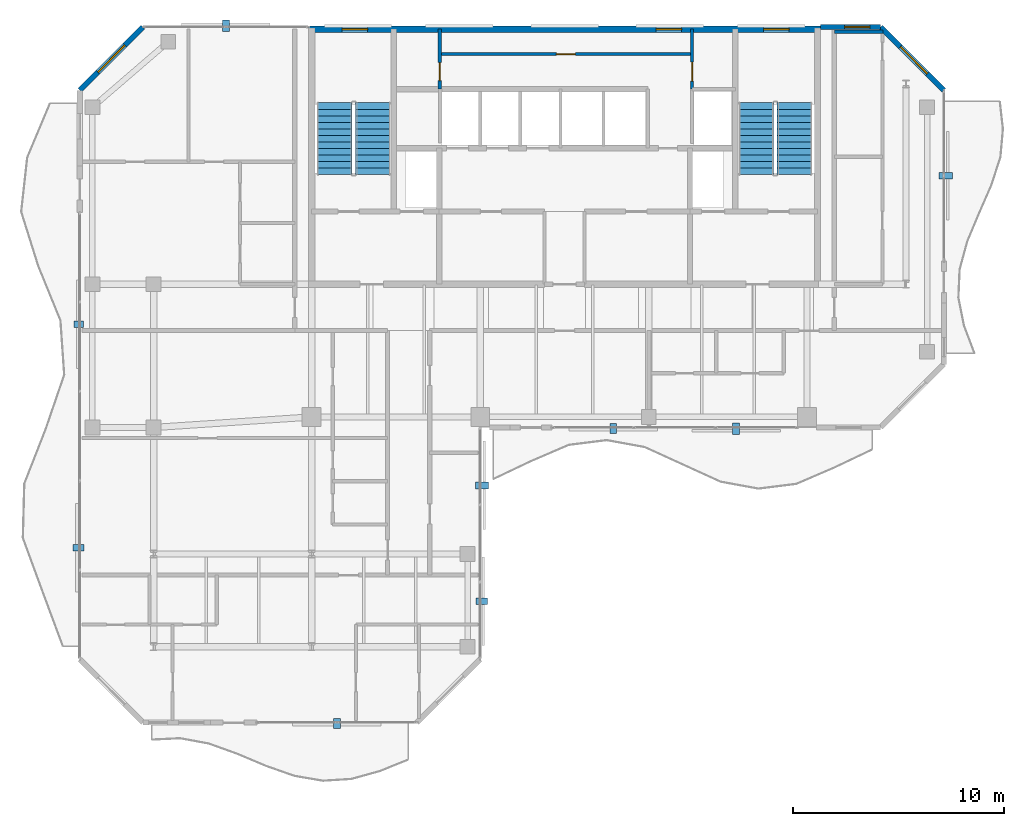
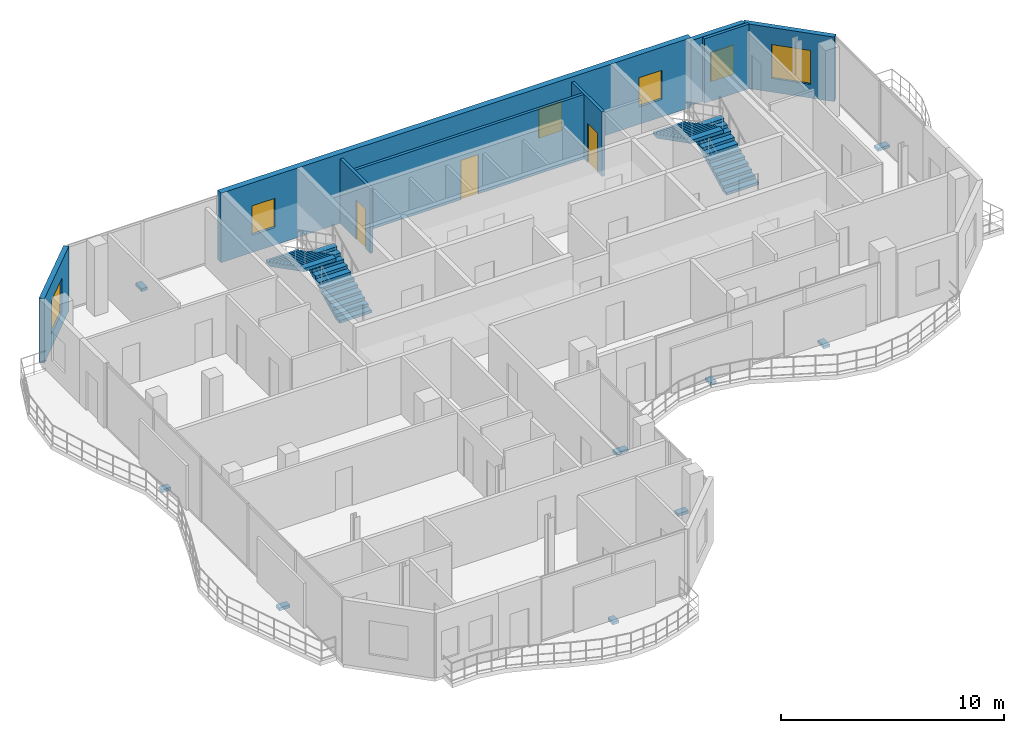
# One storey, part 20 of 23: 9 discrete accessories, 8 walls, 6 windows, 4 stair flights, 3 doors, 9 openings, 2 elements without a shape of their own.
"""IFC4 building model written with IfcOpenShell, lengths in metres."""

from ifc_helpers import new_model, si_unit, direction, frame, frame_2d, origin, origin_2d, place, context, subcontext, project, spatial, polyline, rectangle, outline, extrude, material, layer, layer_set, type_object, element, fill, aggregate, save


model = new_model("IFC4")

# Units and contexts
model_context = context("Model", 3, precision=1e-05, world=origin(), true_north=direction((0.0, 1.0)))
body_context = subcontext(model_context, "Body", "Model", "MODEL_VIEW")
ifc_project = project(units=[si_unit("LENGTHUNIT", "METRE"), si_unit("AREAUNIT", "SQUARE_METRE"), si_unit("VOLUMEUNIT", "CUBIC_METRE"), si_unit("PLANEANGLEUNIT", "RADIAN"), si_unit("MASSUNIT", "GRAM", prefix="KILO")], contexts=[model_context])

# Site, building, storey
site_placement = place(None, origin())
site = spatial("IfcSite", under=ifc_project, at=site_placement, CompositionType="ELEMENT")
building_placement = place(site_placement, origin())
building = spatial("IfcBuilding", under=site, at=building_placement, Name="Catumbela Crestline Tower", CompositionType="ELEMENT")
storey_placement = place(building_placement, frame((0.0, 0.0, 252.6)))
storey = spatial("IfcBuildingStorey", under=building, at=storey_placement, Name="L65", CompositionType="ELEMENT", Elevation=252.6)

# Wall, openings, windows
ifc_material_1 = material(Name="Concrete C45/55", Category="concrete")
ifc_layer_1 = layer(ifc_material_1, 0.3, Name="Concrete C45/55")
ifc_layer_set_1 = layer_set([ifc_layer_1], Name="Concrete C45/55")
wall_type_1 = type_object("IfcWallType", Name="CW-300E", PredefinedType="SHEAR", material=ifc_layer_set_1)
wall_1_placement = place(storey_placement, frame((15.85, 42.9, 0.0), z_axis=(0.0, 0.0, 1.0), x_axis=(1.0, 0.0, 0.0)))
wall_1 = element("IfcWall", 1, at=wall_1_placement, inside=storey, type_object=wall_type_1, Name="L65 Structural Core Shear Wall N", PredefinedType="SHEAR", context=body_context, shape_type="SweptSolid", body=[
    extrude(rectangle(XDim=24.3, YDim=0.3, at=frame_2d((12.15, 0.0))), origin(), (0.0, 0.0, 1.0), 3.8),
])
opening_1_placement = place(wall_1_placement, frame((1.6, 0.0, 0.95)))
opening_1 = element("IfcOpeningElement", 2, at=opening_1_placement, cuts=wall_1, Name="Opening WN-02", PredefinedType="OPENING", context=body_context, shape_type="SweptSolid", body=[
    extrude(rectangle(XDim=1.2, YDim=1.6, at=frame_2d((0.6, 0.8))), frame((0.0, 0.16, 0.0), z_axis=(0.0, -1.0, 0.0), x_axis=(1.0, 0.0, 0.0)), (0.0, 0.0, 1.0), 0.32),
])
opening_2_placement = place(wall_1_placement, frame((16.5, 0.0, 0.95)))
opening_2 = element("IfcOpeningElement", 3, at=opening_2_placement, cuts=wall_1, Name="Opening WN-02", PredefinedType="OPENING", context=body_context, shape_type="SweptSolid", body=[
    extrude(rectangle(XDim=1.2, YDim=1.6, at=frame_2d((0.6, 0.8))), frame((0.0, 0.16, 0.0), z_axis=(0.0, -1.0, 0.0), x_axis=(1.0, 0.0, 0.0)), (0.0, 0.0, 1.0), 0.32),
])
opening_3_placement = place(wall_1_placement, frame((21.6, 0.0, 0.95)))
opening_3 = element("IfcOpeningElement", 4, at=opening_3_placement, cuts=wall_1, Name="Opening WN-02", PredefinedType="OPENING", context=body_context, shape_type="SweptSolid", body=[
    extrude(rectangle(XDim=1.2, YDim=1.6, at=frame_2d((0.6, 0.8))), frame((0.0, 0.16, 0.0), z_axis=(0.0, -1.0, 0.0), x_axis=(1.0, 0.0, 0.0)), (0.0, 0.0, 1.0), 0.32),
])
ifc_material_2 = material(Name="Low-E laminated solar-control double glazing", Category="glass")
window_type_1 = type_object("IfcWindowType", Name="WO-1200", PartitioningType="SINGLE_PANEL", PredefinedType="WINDOW", material=ifc_material_2)
window_1_placement = place(opening_1_placement, origin())
window_1 = element("IfcWindow", 5, at=window_1_placement, inside=storey, type_object=window_type_1, Name="L65 North Core Daylight Vision Window 490", OverallHeight=1.6, OverallWidth=1.2, PartitioningType="SINGLE_PANEL", PredefinedType="WINDOW", context=body_context, shape_type="SweptSolid", body=[
    extrude(rectangle(XDim=1.2, YDim=1.6, at=frame_2d((0.6, 0.8))), frame((0.0, 0.03, 0.0), z_axis=(0.0, -1.0, 0.0), x_axis=(1.0, 0.0, 0.0)), (0.0, 0.0, 1.0), 0.06),
])
fill(opening_1, window_1)
window_2_placement = place(opening_2_placement, origin())
window_2 = element("IfcWindow", 6, at=window_2_placement, inside=storey, type_object=window_type_1, Name="L65 North Core Daylight Vision Window 491", OverallHeight=1.6, OverallWidth=1.2, PartitioningType="SINGLE_PANEL", PredefinedType="WINDOW", context=body_context, shape_type="SweptSolid", body=[
    extrude(rectangle(XDim=1.2, YDim=1.6, at=frame_2d((0.6, 0.8))), frame((0.0, 0.03, 0.0), z_axis=(0.0, -1.0, 0.0), x_axis=(1.0, 0.0, 0.0)), (0.0, 0.0, 1.0), 0.06),
])
fill(opening_2, window_2)
window_3_placement = place(opening_3_placement, origin())
window_3 = element("IfcWindow", 7, at=window_3_placement, inside=storey, type_object=window_type_1, Name="L65 North Core Daylight Vision Window 492", OverallHeight=1.6, OverallWidth=1.2, PartitioningType="SINGLE_PANEL", PredefinedType="WINDOW", context=body_context, shape_type="SweptSolid", body=[
    extrude(rectangle(XDim=1.2, YDim=1.6, at=frame_2d((0.6, 0.8))), frame((0.0, 0.03, 0.0), z_axis=(0.0, -1.0, 0.0), x_axis=(1.0, 0.0, 0.0)), (0.0, 0.0, 1.0), 0.06),
])
fill(opening_3, window_3)

# Wall, opening, window
ifc_material_3 = material(Name="Angolan grey-ochre granite", Category="masonry")
ifc_layer_2 = layer(ifc_material_3, 0.25, Name="Angolan grey-ochre granite")
ifc_layer_set_2 = layer_set([ifc_layer_2], Name="Angolan grey-ochre granite")
wall_type_2 = type_object("IfcWallType", Name="WE-250", PredefinedType="STANDARD", material=ifc_layer_set_2)
wall_2_placement = place(storey_placement, frame((46.0, 40.0, 0.0), z_axis=(0.0, 0.0, 1.0), x_axis=(-0.707106781187, 0.707106781187, 0.0)))
wall_2 = element("IfcWall", 8, at=wall_2_placement, inside=storey, type_object=wall_type_2, Name="L65 Granite Punched Window Wall 6-1", PredefinedType="STANDARD", context=body_context, shape_type="SweptSolid", body=[
    extrude(rectangle(XDim=4.2426, YDim=0.25, at=frame_2d((2.1213, 0.0))), origin(), (0.0, 0.0, 1.0), 3.53),
])
opening_4_placement = place(wall_2_placement, frame((1.1111, 0.0, 0.75)))
opening_4 = element("IfcOpeningElement", 9, at=opening_4_placement, cuts=wall_2, Name="Opening WN-01", PredefinedType="OPENING", context=body_context, shape_type="SweptSolid", body=[
    extrude(rectangle(XDim=1.8, YDim=1.85, at=frame_2d((0.9, 0.925))), frame((0.0, 0.135, 0.0), z_axis=(0.0, -1.0, 0.0), x_axis=(1.0, 0.0, 0.0)), (0.0, 0.0, 1.0), 0.27),
])
window_type_2 = type_object("IfcWindowType", Name="WF-1800", PartitioningType="SINGLE_PANEL", PredefinedType="WINDOW", material=ifc_material_2)
window_4_placement = place(opening_4_placement, origin())
window_4 = element("IfcWindow", 10, at=window_4_placement, inside=storey, type_object=window_type_2, Name="L65 Facade Vision Window 499", OverallHeight=1.85, OverallWidth=1.8, PartitioningType="SINGLE_PANEL", PredefinedType="WINDOW", context=body_context, shape_type="SweptSolid", body=[
    extrude(rectangle(XDim=1.8, YDim=1.85, at=frame_2d((0.9, 0.925))), frame((0.0, 0.03, 0.0), z_axis=(0.0, -1.0, 0.0), x_axis=(1.0, 0.0, 0.0)), (0.0, 0.0, 1.0), 0.06),
])
fill(opening_4, window_4)

wall_3_placement = place(storey_placement, frame((43.0, 43.0, 0.0), z_axis=(0.0, 0.0, 1.0), x_axis=(-1.0, 0.0, 0.0)))
wall_3 = element("IfcWall", 11, at=wall_3_placement, inside=storey, type_object=wall_type_2, Name="L65 Granite Punched Window Wall 7-1", PredefinedType="STANDARD", context=body_context, shape_type="SweptSolid", body=[
    extrude(rectangle(XDim=2.86, YDim=0.25, at=frame_2d((1.43, 0.0))), origin(), (0.0, 0.0, 1.0), 3.53),
])
opening_5_placement = place(wall_3_placement, frame((0.51, 0.0, 0.85)))
opening_5 = element("IfcOpeningElement", 12, at=opening_5_placement, cuts=wall_3, Name="Opening WN-02", PredefinedType="OPENING", context=body_context, shape_type="SweptSolid", body=[
    extrude(rectangle(XDim=1.2, YDim=1.6, at=frame_2d((0.6, 0.8))), frame((0.0, 0.135, 0.0), z_axis=(0.0, -1.0, 0.0), x_axis=(1.0, 0.0, 0.0)), (0.0, 0.0, 1.0), 0.27),
])
window_5_placement = place(opening_5_placement, origin())
window_5 = element("IfcWindow", 13, at=window_5_placement, inside=storey, type_object=window_type_1, Name="L65 Facade Vision Window 500", OverallHeight=1.6, OverallWidth=1.2, PartitioningType="SINGLE_PANEL", PredefinedType="WINDOW", context=body_context, shape_type="SweptSolid", body=[
    extrude(rectangle(XDim=1.2, YDim=1.6, at=frame_2d((0.6, 0.8))), frame((0.0, 0.03, 0.0), z_axis=(0.0, -1.0, 0.0), x_axis=(1.0, 0.0, 0.0)), (0.0, 0.0, 1.0), 0.06),
])
fill(opening_5, window_5)

wall_4_placement = place(storey_placement, frame((8.0, 43.0, 0.0), z_axis=(0.0, 0.0, 1.0), x_axis=(-0.707106781187, -0.707106781187, 0.0)))
wall_4 = element("IfcWall", 14, at=wall_4_placement, inside=storey, type_object=wall_type_2, Name="L65 Granite Punched Window Wall 8-1", PredefinedType="STANDARD", context=body_context, shape_type="SweptSolid", body=[
    extrude(rectangle(XDim=4.2426, YDim=0.25, at=frame_2d((2.1213, 0.0))), origin(), (0.0, 0.0, 1.0), 3.53),
])
opening_6_placement = place(wall_4_placement, frame((1.2213, 0.0, 0.75)))
opening_6 = element("IfcOpeningElement", 15, at=opening_6_placement, cuts=wall_4, Name="Opening WN-01", PredefinedType="OPENING", context=body_context, shape_type="SweptSolid", body=[
    extrude(rectangle(XDim=1.8, YDim=1.85, at=frame_2d((0.9, 0.925))), frame((0.0, 0.135, 0.0), z_axis=(0.0, -1.0, 0.0), x_axis=(1.0, 0.0, 0.0)), (0.0, 0.0, 1.0), 0.27),
])
window_6_placement = place(opening_6_placement, origin())
window_6 = element("IfcWindow", 16, at=window_6_placement, inside=storey, type_object=window_type_2, Name="L65 Facade Vision Window 501", OverallHeight=1.85, OverallWidth=1.8, PartitioningType="SINGLE_PANEL", PredefinedType="WINDOW", context=body_context, shape_type="SweptSolid", body=[
    extrude(rectangle(XDim=1.8, YDim=1.85, at=frame_2d((0.9, 0.925))), frame((0.0, 0.03, 0.0), z_axis=(0.0, -1.0, 0.0), x_axis=(1.0, 0.0, 0.0)), (0.0, 0.0, 1.0), 0.06),
])
fill(opening_6, window_6)

# Wall, opening, door
ifc_material_4 = material(Name="Acoustic gypsum and mineral-wool partition")
ifc_layer_3 = layer(ifc_material_4, 0.15, Name="Acoustic gypsum and mineral-wool partition")
ifc_layer_set_3 = layer_set([ifc_layer_3], Name="Acoustic gypsum and mineral-wool partition")
wall_type_3 = type_object("IfcWallType", Name="WP-150", PredefinedType="PARTITIONING", material=ifc_layer_set_3)
wall_5_placement = place(storey_placement, frame((34.05, 40.05, 0.0), z_axis=(0.0, 0.0, 1.0), x_axis=(0.0, 1.0, 0.0)))
wall_5 = element("IfcWall", 17, at=wall_5_placement, inside=storey, type_object=wall_type_3, Name="L65 Interior Partition PW-L65-CR-EW", PredefinedType="PARTITIONING", context=body_context, shape_type="SweptSolid", body=[
    extrude(rectangle(XDim=2.85, YDim=0.15, at=frame_2d((1.425, 0.0))), origin(), (0.0, 0.0, 1.0), 3.53),
])
opening_7_placement = place(wall_5_placement, frame((0.385, 0.0, 0.0)))
opening_7 = element("IfcOpeningElement", 18, at=opening_7_placement, cuts=wall_5, Name="Opening DF9-090", PredefinedType="OPENING", context=body_context, shape_type="SweptSolid", body=[
    extrude(rectangle(XDim=0.9, YDim=2.15, at=frame_2d((0.45, 1.075))), frame((0.0, 0.085, 0.0), z_axis=(0.0, -1.0, 0.0), x_axis=(1.0, 0.0, 0.0)), (0.0, 0.0, 1.0), 0.17),
])
ifc_material_5 = material(Name="Stainless steel EN 1.4401", Category="steel")
door_type_1 = type_object("IfcDoorType", Name="DF9-090", OperationType="NOTDEFINED", PredefinedType="DOOR", material=ifc_material_5)
door_1_placement = place(opening_7_placement, origin())
door_1 = element("IfcDoor", 19, at=door_1_placement, inside=storey, type_object=door_type_1, Name="L65 Interior Door DR-L65-CREAST", OperationType="SINGLE_SWING_RIGHT", OverallHeight=2.15, OverallWidth=0.9, PredefinedType="DOOR", context=body_context, shape_type="SweptSolid", body=[
    extrude(rectangle(XDim=0.9, YDim=2.15, at=frame_2d((0.45, 1.075))), frame((0.0, 0.025, 0.0), z_axis=(0.0, -1.0, 0.0), x_axis=(1.0, 0.0, 0.0)), (0.0, 0.0, 1.0), 0.05),
])
fill(opening_7, door_1)

wall_6_placement = place(storey_placement, frame((22.08, 40.05, 0.0), z_axis=(0.0, 0.0, 1.0), x_axis=(0.0, 1.0, 0.0)))
wall_6 = element("IfcWall", 20, at=wall_6_placement, inside=storey, type_object=wall_type_3, Name="L65 Interior Partition PW-L65-CR-WCW", PredefinedType="PARTITIONING", context=body_context, shape_type="SweptSolid", body=[
    extrude(rectangle(XDim=2.85, YDim=0.15, at=frame_2d((1.425, 0.0))), origin(), (0.0, 0.0, 1.0), 3.53),
])
opening_8_placement = place(wall_6_placement, frame((0.41, 0.0, 0.0)))
opening_8 = element("IfcOpeningElement", 21, at=opening_8_placement, cuts=wall_6, Name="Opening DI-085", PredefinedType="OPENING", context=body_context, shape_type="SweptSolid", body=[
    extrude(rectangle(XDim=0.85, YDim=2.15, at=frame_2d((0.425, 1.075))), frame((0.0, 0.085, 0.0), z_axis=(0.0, -1.0, 0.0), x_axis=(1.0, 0.0, 0.0)), (0.0, 0.0, 1.0), 0.17),
])
ifc_material_6 = material(Name="Aluminium alloy AW-6060-T66", Category="aluminium")
door_type_2 = type_object("IfcDoorType", Name="DI-085", OperationType="NOTDEFINED", PredefinedType="DOOR", material=ifc_material_6)
door_2_placement = place(opening_8_placement, origin())
door_2 = element("IfcDoor", 22, at=door_2_placement, inside=storey, type_object=door_type_2, Name="L65 Interior Door DR-L65-CRWC", OperationType="SINGLE_SWING_LEFT", OverallHeight=2.15, OverallWidth=0.85, PredefinedType="DOOR", context=body_context, shape_type="SweptSolid", body=[
    extrude(rectangle(XDim=0.85, YDim=2.15, at=frame_2d((0.425, 1.075))), frame((0.0, 0.025, 0.0), z_axis=(0.0, -1.0, 0.0), x_axis=(1.0, 0.0, 0.0)), (0.0, 0.0, 1.0), 0.05),
])
fill(opening_8, door_2)

wall_7_placement = place(storey_placement, frame((22.08, 41.72, 0.0), z_axis=(0.0, 0.0, 1.0), x_axis=(1.0, 0.0, 0.0)))
wall_7 = element("IfcWall", 23, at=wall_7_placement, inside=storey, type_object=wall_type_3, Name="L65 Interior Partition PW-L65-CR-MID", PredefinedType="PARTITIONING", context=body_context, shape_type="SweptSolid", body=[
    extrude(rectangle(XDim=11.97, YDim=0.15, at=frame_2d((5.985, 0.0))), origin(), (0.0, 0.0, 1.0), 3.53),
])
opening_9_placement = place(wall_7_placement, frame((5.535, 0.0, 0.0)))
opening_9 = element("IfcOpeningElement", 24, at=opening_9_placement, cuts=wall_7, Name="Opening DF9-090", PredefinedType="OPENING", context=body_context, shape_type="SweptSolid", body=[
    extrude(rectangle(XDim=0.9, YDim=2.15, at=frame_2d((0.45, 1.075))), frame((0.0, 0.085, 0.0), z_axis=(0.0, -1.0, 0.0), x_axis=(1.0, 0.0, 0.0)), (0.0, 0.0, 1.0), 0.17),
])
door_3_placement = place(opening_9_placement, origin())
door_3 = element("IfcDoor", 25, at=door_3_placement, inside=storey, type_object=door_type_1, Name="L65 Interior Door DR-L65-CRMID", OperationType="SINGLE_SWING_LEFT", OverallHeight=2.15, OverallWidth=0.9, PredefinedType="DOOR", context=body_context, shape_type="SweptSolid", body=[
    extrude(rectangle(XDim=0.9, YDim=2.15, at=frame_2d((0.45, 1.075))), frame((0.0, 0.025, 0.0), z_axis=(0.0, -1.0, 0.0), x_axis=(1.0, 0.0, 0.0)), (0.0, 0.0, 1.0), 0.05),
])
fill(opening_9, door_3)

# Wall
wall_8_placement = place(storey_placement, frame((40.8, 42.78, 0.0), z_axis=(0.0, 0.0, 1.0), x_axis=(1.0, 0.0, 0.0)))
element("IfcWall", 26, at=wall_8_placement, inside=storey, type_object=wall_type_3, Name="L65 Interior Partition PW-L65-NE1-BTH-BCL-2", PredefinedType="PARTITIONING", context=body_context, shape_type="SweptSolid", body=[
    extrude(rectangle(XDim=2.32, YDim=0.15, at=frame_2d((1.16, 0.0))), origin(), (0.0, 0.0, 1.0), 3.53),
])

# Stair, stair flights
stair_type = type_object("IfcStairType", Name="ST-DLG", PredefinedType="HALF_TURN_STAIR", material=ifc_material_1)
stair_1_placement = place(storey_placement, origin())
stair_1 = element("IfcStair", 27, at=stair_1_placement, inside=storey, type_object=stair_type, Name="L65 West Core Pressurised Exit Stair ST-01", PredefinedType="HALF_TURN_STAIR")
stair_flight_type = type_object("IfcStairFlightType", Name="SF-1583", PredefinedType="STRAIGHT", material=ifc_material_1)
stair_flight_1_placement = place(storey_placement, frame((18.92, 36.0, 0.0), z_axis=(0.0, 0.0, 1.0), x_axis=(0.0, 1.0, 0.0)))
stair_flight_1 = element("IfcStairFlight", 28, at=stair_flight_1_placement, type_object=stair_flight_type, Name="ST-01 flight 1", NumberOfRisers=12, NumberOfTreads=11, PredefinedType="STRAIGHT", RiserHeight=0.158333333, TreadLength=0.31, context=body_context, shape_type="SweptSolid", body=[
    extrude(outline(polyline([(0.0, 0.0), (0.0, 0.1583), (0.31, 0.1583), (0.31, 0.3167), (0.62, 0.3167), (0.62, 0.475), (0.93, 0.475), (0.93, 0.6333), (1.24, 0.6333), (1.24, 0.7917), (1.55, 0.7917), (1.55, 0.95), (1.86, 0.95), (1.86, 1.1083), (2.17, 1.1083), (2.17, 1.2667), (2.48, 1.2667), (2.48, 1.425), (2.79, 1.425), (2.79, 1.5833), (3.1, 1.5833), (3.1, 1.7417), (3.41, 1.7417), (3.41, 1.9), (3.41, 1.562), (0.3518, 0.0), (0.0, 0.0)])), frame((0.0, 0.83, 0.0), z_axis=(0.0, -1.0, 0.0), x_axis=(1.0, 0.0, 0.0)), (0.0, 0.0, 1.0), 1.66),
])
stair_flight_2_placement = place(storey_placement, frame((17.08, 39.41, 1.9), z_axis=(0.0, 0.0, 1.0), x_axis=(0.0, -1.0, 0.0)))
stair_flight_2 = element("IfcStairFlight", 29, at=stair_flight_2_placement, type_object=stair_flight_type, Name="ST-01 flight 2", NumberOfRisers=12, NumberOfTreads=11, PredefinedType="STRAIGHT", RiserHeight=0.158333333, TreadLength=0.31, context=body_context, shape_type="SweptSolid", body=[
    extrude(outline(polyline([(0.0, 0.0), (0.0, 0.1583), (0.31, 0.1583), (0.31, 0.3167), (0.62, 0.3167), (0.62, 0.475), (0.93, 0.475), (0.93, 0.6333), (1.24, 0.6333), (1.24, 0.7917), (1.55, 0.7917), (1.55, 0.95), (1.86, 0.95), (1.86, 1.1083), (2.17, 1.1083), (2.17, 1.2667), (2.48, 1.2667), (2.48, 1.425), (2.79, 1.425), (2.79, 1.5833), (3.1, 1.5833), (3.1, 1.7417), (3.41, 1.7417), (3.41, 1.9), (3.41, 1.562), (0.3518, 0.0), (0.0, 0.0)])), frame((0.0, 0.83, 0.0), z_axis=(0.0, -1.0, 0.0), x_axis=(1.0, 0.0, 0.0)), (0.0, 0.0, 1.0), 1.66),
])
aggregate(stair_1, [stair_flight_1, stair_flight_2])

stair_2_placement = place(storey_placement, origin())
stair_2 = element("IfcStair", 30, at=stair_2_placement, inside=storey, type_object=stair_type, Name="L65 East Core Pressurised Exit Stair ST-02", PredefinedType="HALF_TURN_STAIR")
stair_flight_3_placement = place(storey_placement, frame((38.92, 36.0, 0.0), z_axis=(0.0, 0.0, 1.0), x_axis=(0.0, 1.0, 0.0)))
stair_flight_3 = element("IfcStairFlight", 31, at=stair_flight_3_placement, type_object=stair_flight_type, Name="ST-02 flight 1", NumberOfRisers=12, NumberOfTreads=11, PredefinedType="STRAIGHT", RiserHeight=0.158333333, TreadLength=0.31, context=body_context, shape_type="SweptSolid", body=[
    extrude(outline(polyline([(0.0, 0.0), (0.0, 0.1583), (0.31, 0.1583), (0.31, 0.3167), (0.62, 0.3167), (0.62, 0.475), (0.93, 0.475), (0.93, 0.6333), (1.24, 0.6333), (1.24, 0.7917), (1.55, 0.7917), (1.55, 0.95), (1.86, 0.95), (1.86, 1.1083), (2.17, 1.1083), (2.17, 1.2667), (2.48, 1.2667), (2.48, 1.425), (2.79, 1.425), (2.79, 1.5833), (3.1, 1.5833), (3.1, 1.7417), (3.41, 1.7417), (3.41, 1.9), (3.41, 1.562), (0.3518, 0.0), (0.0, 0.0)])), frame((0.0, 0.83, 0.0), z_axis=(0.0, -1.0, 0.0), x_axis=(1.0, 0.0, 0.0)), (0.0, 0.0, 1.0), 1.66),
])
stair_flight_4_placement = place(storey_placement, frame((37.08, 39.41, 1.9), z_axis=(0.0, 0.0, 1.0), x_axis=(0.0, -1.0, 0.0)))
stair_flight_4 = element("IfcStairFlight", 32, at=stair_flight_4_placement, type_object=stair_flight_type, Name="ST-02 flight 2", NumberOfRisers=12, NumberOfTreads=11, PredefinedType="STRAIGHT", RiserHeight=0.158333333, TreadLength=0.31, context=body_context, shape_type="SweptSolid", body=[
    extrude(outline(polyline([(0.0, 0.0), (0.0, 0.1583), (0.31, 0.1583), (0.31, 0.3167), (0.62, 0.3167), (0.62, 0.475), (0.93, 0.475), (0.93, 0.6333), (1.24, 0.6333), (1.24, 0.7917), (1.55, 0.7917), (1.55, 0.95), (1.86, 0.95), (1.86, 1.1083), (2.17, 1.1083), (2.17, 1.2667), (2.48, 1.2667), (2.48, 1.425), (2.79, 1.425), (2.79, 1.5833), (3.1, 1.5833), (3.1, 1.7417), (3.41, 1.7417), (3.41, 1.9), (3.41, 1.562), (0.3518, 0.0), (0.0, 0.0)])), frame((0.0, 0.83, 0.0), z_axis=(0.0, -1.0, 0.0), x_axis=(1.0, 0.0, 0.0)), (0.0, 0.0, 1.0), 1.66),
])
aggregate(stair_2, [stair_flight_3, stair_flight_4])

# Discrete accessories
discrete_accessory_type = type_object("IfcDiscreteAccessoryType", Name="BK-SS1", PredefinedType="BRACKET", material=ifc_material_5)
discrete_accessory_1_placement = place(storey_placement, frame((17.2, 9.955, -0.18), z_axis=(0.0, 0.0, 1.0), x_axis=(1.0, 0.0, 0.0)))
element("IfcDiscreteAccessory", 33, at=discrete_accessory_1_placement, inside=storey, type_object=discrete_accessory_type, Name="L65 Solar Screen Stainless Bracket 787", PredefinedType="BRACKET", context=body_context, shape_type="SweptSolid", body=[
    extrude(rectangle(XDim=0.32, YDim=0.46, at=origin_2d()), origin(), (0.0, 0.0, 1.0), 0.16),
])
discrete_accessory_2_placement = place(storey_placement, frame((24.065, 15.75, -0.18), z_axis=(0.0, 0.0, 1.0), x_axis=(0.0, 1.0, 0.0)))
element("IfcDiscreteAccessory", 34, at=discrete_accessory_2_placement, inside=storey, type_object=discrete_accessory_type, Name="L65 Solar Screen Stainless Bracket 788", PredefinedType="BRACKET", context=body_context, shape_type="SweptSolid", body=[
    extrude(rectangle(XDim=0.32, YDim=0.54, at=origin_2d()), origin(), (0.0, 0.0, 1.0), 0.16),
])
discrete_accessory_3_placement = place(storey_placement, frame((24.085, 21.25, -0.18), z_axis=(0.0, 0.0, 1.0), x_axis=(0.0, 1.0, 0.0)))
element("IfcDiscreteAccessory", 35, at=discrete_accessory_3_placement, inside=storey, type_object=discrete_accessory_type, Name="L65 Solar Screen Stainless Bracket 789", PredefinedType="BRACKET", context=body_context, shape_type="SweptSolid", body=[
    extrude(rectangle(XDim=0.32, YDim=0.62, at=origin_2d()), origin(), (0.0, 0.0, 1.0), 0.16),
])
discrete_accessory_4_placement = place(storey_placement, frame((30.3125, 23.955, -0.18), z_axis=(0.0, 0.0, 1.0), x_axis=(1.0, 0.0, 0.0)))
element("IfcDiscreteAccessory", 36, at=discrete_accessory_4_placement, inside=storey, type_object=discrete_accessory_type, Name="L65 Solar Screen Stainless Bracket 790", PredefinedType="BRACKET", context=body_context, shape_type="SweptSolid", body=[
    extrude(rectangle(XDim=0.32, YDim=0.46, at=origin_2d()), origin(), (0.0, 0.0, 1.0), 0.16),
])
discrete_accessory_5_placement = place(storey_placement, frame((36.1375, 23.935, -0.18), z_axis=(0.0, 0.0, 1.0), x_axis=(1.0, 0.0, 0.0)))
element("IfcDiscreteAccessory", 37, at=discrete_accessory_5_placement, inside=storey, type_object=discrete_accessory_type, Name="L65 Solar Screen Stainless Bracket 791", PredefinedType="BRACKET", context=body_context, shape_type="SweptSolid", body=[
    extrude(rectangle(XDim=0.32, YDim=0.54, at=origin_2d()), origin(), (0.0, 0.0, 1.0), 0.16),
])
discrete_accessory_6_placement = place(storey_placement, frame((46.085, 35.95, -0.18), z_axis=(0.0, 0.0, 1.0), x_axis=(0.0, 1.0, 0.0)))
element("IfcDiscreteAccessory", 38, at=discrete_accessory_6_placement, inside=storey, type_object=discrete_accessory_type, Name="L65 Solar Screen Stainless Bracket 792", PredefinedType="BRACKET", context=body_context, shape_type="SweptSolid", body=[
    extrude(rectangle(XDim=0.32, YDim=0.62, at=origin_2d()), origin(), (0.0, 0.0, 1.0), 0.16),
])
discrete_accessory_7_placement = place(storey_placement, frame((11.93, 43.065, -0.18), z_axis=(0.0, 0.0, 1.0), x_axis=(-1.0, 0.0, 0.0)))
element("IfcDiscreteAccessory", 39, at=discrete_accessory_7_placement, inside=storey, type_object=discrete_accessory_type, Name="L65 Solar Screen Stainless Bracket 793", PredefinedType="BRACKET", context=body_context, shape_type="SweptSolid", body=[
    extrude(rectangle(XDim=0.32, YDim=0.54, at=origin_2d()), origin(), (0.0, 0.0, 1.0), 0.16),
])
discrete_accessory_8_placement = place(storey_placement, frame((4.955, 28.9, -0.18), z_axis=(0.0, 0.0, 1.0), x_axis=(0.0, -1.0, 0.0)))
element("IfcDiscreteAccessory", 40, at=discrete_accessory_8_placement, inside=storey, type_object=discrete_accessory_type, Name="L65 Solar Screen Stainless Bracket 794", PredefinedType="BRACKET", context=body_context, shape_type="SweptSolid", body=[
    extrude(rectangle(XDim=0.32, YDim=0.46, at=origin_2d()), origin(), (0.0, 0.0, 1.0), 0.16),
])
discrete_accessory_9_placement = place(storey_placement, frame((4.935, 18.3, -0.18), z_axis=(0.0, 0.0, 1.0), x_axis=(0.0, -1.0, 0.0)))
element("IfcDiscreteAccessory", 41, at=discrete_accessory_9_placement, inside=storey, type_object=discrete_accessory_type, Name="L65 Solar Screen Stainless Bracket 795", PredefinedType="BRACKET", context=body_context, shape_type="SweptSolid", body=[
    extrude(rectangle(XDim=0.32, YDim=0.54, at=origin_2d()), origin(), (0.0, 0.0, 1.0), 0.16),
])

save(model, "model.ifc")
